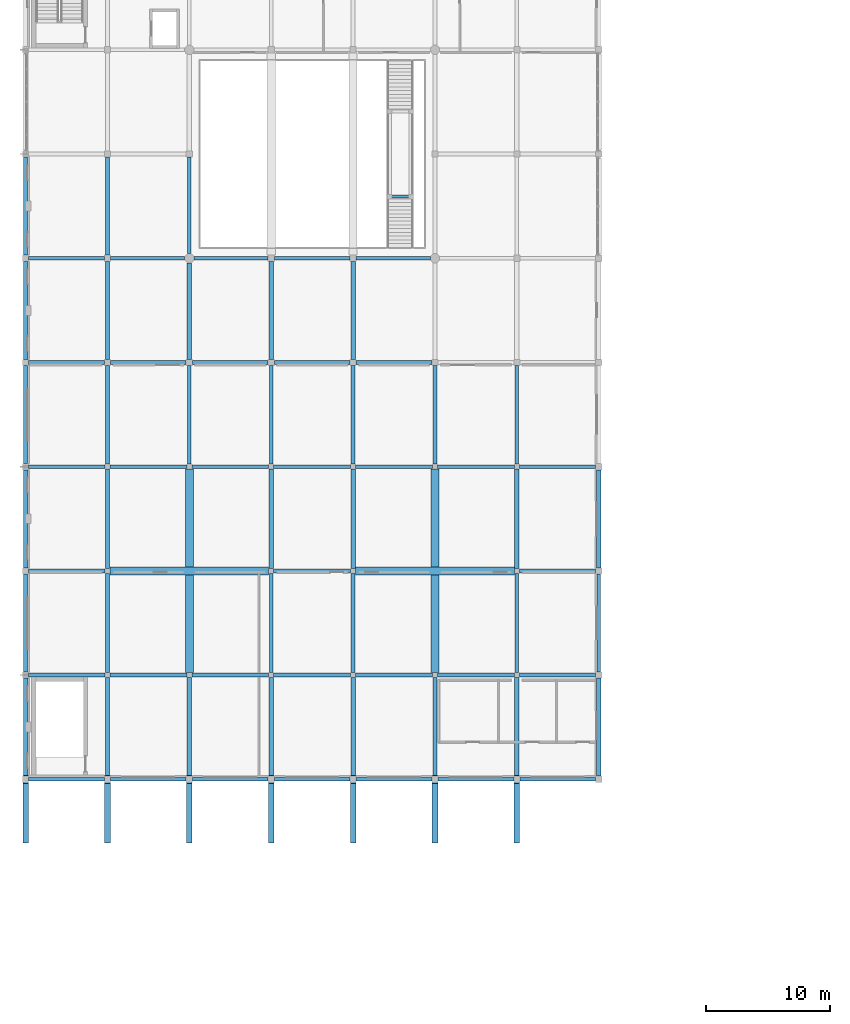
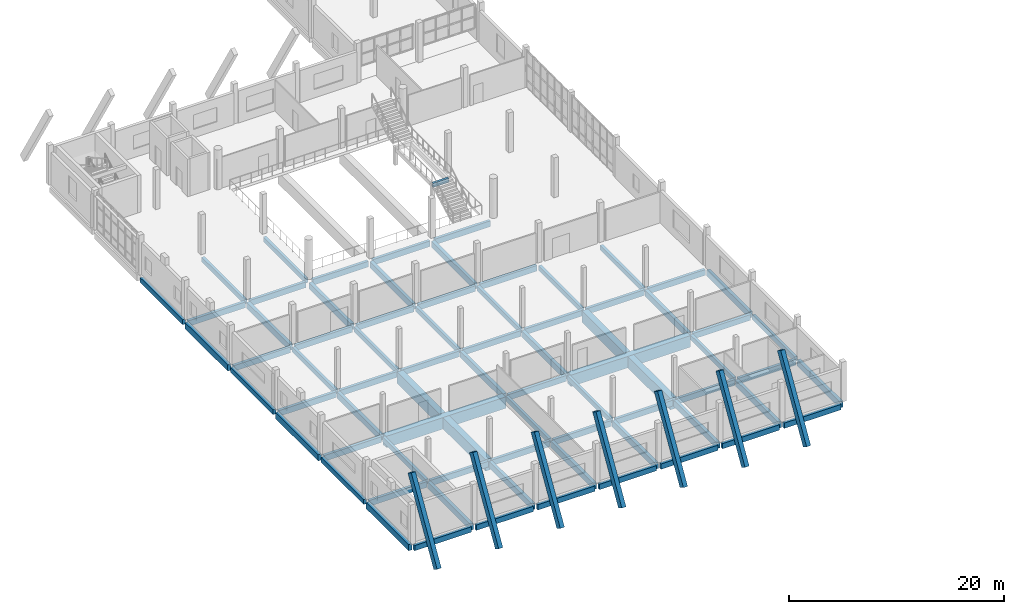
# One storey, part 3 of 76: 74 beams, 7 members.
"""IFC4 building model written with IfcOpenShell, lengths in metres."""

from ifc_helpers import new_model, si_unit, direction, frame, origin, origin_2d, place, context, subcontext, project, spatial, rectangle, extrude, material, material_profile, profile_set, type_object, element, save


model = new_model("IFC4")

# Units and contexts
model_context = context("Model", 3, precision=1e-05, world=origin(), true_north=direction((0.0, 1.0)))
body_context = subcontext(model_context, "Body", "Model", "MODEL_VIEW")
ifc_project = project(units=[si_unit("LENGTHUNIT", "METRE"), si_unit("AREAUNIT", "SQUARE_METRE"), si_unit("VOLUMEUNIT", "CUBIC_METRE"), si_unit("PLANEANGLEUNIT", "RADIAN"), si_unit("MASSUNIT", "GRAM", prefix="KILO")], contexts=[model_context])

# Site, building, storey
site_placement = place(None, origin())
site = spatial("IfcSite", under=ifc_project, at=site_placement, CompositionType="ELEMENT")
building_placement = place(site_placement, origin())
building = spatial("IfcBuilding", under=site, at=building_placement, Name="Qaldarim Faculty of Natural and Applied Sciences", CompositionType="ELEMENT")
storey_placement = place(building_placement, frame((0.0, 0.0, 9.89990234375)))
storey = spatial("IfcBuildingStorey", under=building, at=storey_placement, Name="L02", CompositionType="ELEMENT", Elevation=9.89990234375)

# Beams
ifc_material_1 = material(Name="Concrete C40/50", Category="concrete")
ifc_material_profile_1 = material_profile(ifc_material_1, rectangle(XDim=0.300048828125, YDim=0.550048828125, at=origin_2d()), Name="RC-B300x550")
ifc_profile_set_1 = profile_set([ifc_material_profile_1], Name="Concrete C40/50")
beam_type_1 = type_object("IfcBeamType", Name="FloorBeam-RC300x550", PredefinedType="BEAM", material=ifc_profile_set_1)
beam_1_placement = place(storey_placement, frame((0.0, 25.449951171875, -0.574951171875), z_axis=(0.0, 1.0, 0.0), x_axis=(-1.0, 0.0, 0.0)))
element("IfcBeam", 1, at=beam_1_placement, inside=storey, type_object=beam_type_1, Name="Beam RC-B300x550 L01 X01/Y04-Y05", PredefinedType="BEAM", context=body_context, shape_type="SweptSolid", body=[
    extrude(rectangle(XDim=0.300048828125, YDim=0.550048828125, at=origin_2d()), origin(), (0.0, 0.0, 1.0), 7.900146484375),
])
for number, where, z_axis, x_axis, name in (
    (2, (0.0, 42.25, -0.574951171875), (0.0, 1.0, 0.0), (-1.0, 0.0, 0.0), "Beam RC-B300x550 L01 X01/Y06-Y07"),
    (3, (0.0, 59.050048828125, -0.574951171875), (0.0, 1.0, 0.0), (-1.0, 0.0, 0.0), "Beam RC-B300x550 L01 X01/Y08-Y09"),
):
    element("IfcBeam", number, at=place(storey_placement, frame(where, z_axis=z_axis, x_axis=x_axis)), inside=storey, type_object=beam_type_1, Name=name, PredefinedType="BEAM", context=body_context, shape_type="SweptSolid", body=[
        extrude(rectangle(XDim=0.300048828125, YDim=0.550048828125, at=origin_2d()), origin(), (0.0, 0.0, 1.0), 7.89990234375),
    ])
beam_2_placement = place(storey_placement, frame((6.60009765625, 25.39990234375, -0.574951171875), z_axis=(0.0, 1.0, 0.0), x_axis=(-1.0, 0.0, 0.0)))
element("IfcBeam", 4, at=beam_2_placement, inside=storey, type_object=beam_type_1, Name="Beam RC-B300x550 L01 X02/Y04-Y05", PredefinedType="BEAM", context=body_context, shape_type="SweptSolid", body=[
    extrude(rectangle(XDim=0.300048828125, YDim=0.550048828125, at=origin_2d()), origin(), (0.0, 0.0, 1.0), 8.0),
])
beam_3_placement = place(storey_placement, frame((6.60009765625, 42.199951171875, -0.574951171875), z_axis=(0.0, 1.0, 0.0), x_axis=(-1.0, 0.0, 0.0)))
element("IfcBeam", 5, at=beam_3_placement, inside=storey, type_object=beam_type_1, Name="Beam RC-B300x550 L01 X02/Y06-Y07", PredefinedType="BEAM", context=body_context, shape_type="SweptSolid", body=[
    extrude(rectangle(XDim=0.300048828125, YDim=0.550048828125, at=origin_2d()), origin(), (0.0, 0.0, 1.0), 7.949951171875),
])
beam_4_placement = place(storey_placement, frame((6.60009765625, 59.050048828125, -0.574951171875), z_axis=(0.0, 1.0, 0.0), x_axis=(-1.0, 0.0, 0.0)))
element("IfcBeam", 6, at=beam_4_placement, inside=storey, type_object=beam_type_1, Name="Beam RC-B300x550 L01 X02/Y08-Y09", PredefinedType="BEAM", context=body_context, shape_type="SweptSolid", body=[
    extrude(rectangle(XDim=0.300048828125, YDim=0.550048828125, at=origin_2d()), origin(), (0.0, 0.0, 1.0), 7.89990234375),
])
beam_5_placement = place(storey_placement, frame((13.199951171875, 42.199951171875, -0.574951171875), z_axis=(0.0, 1.0, 0.0), x_axis=(-1.0, 0.0, 0.0)))
element("IfcBeam", 7, at=beam_5_placement, inside=storey, type_object=beam_type_1, Name="Beam RC-B300x550 L01 X03/Y06-Y07", PredefinedType="BEAM", context=body_context, shape_type="SweptSolid", body=[
    extrude(rectangle(XDim=0.300048828125, YDim=0.550048828125, at=origin_2d()), origin(), (0.0, 0.0, 1.0), 7.949951171875),
])
beam_6_placement = place(storey_placement, frame((13.199951171875, 59.175048828125, -0.574951171875), z_axis=(0.0, 1.0, 0.0), x_axis=(-1.0, 0.0, 0.0)))
element("IfcBeam", 8, at=beam_6_placement, inside=storey, type_object=beam_type_1, Name="Beam RC-B300x550 L01 X03/Y08-Y09", PredefinedType="BEAM", context=body_context, shape_type="SweptSolid", body=[
    extrude(rectangle(XDim=0.300048828125, YDim=0.550048828125, at=origin_2d()), origin(), (0.0, 0.0, 1.0), 7.77490234375),
])
beam_7_placement = place(storey_placement, frame((19.800048828125, 25.39990234375, -0.574951171875), z_axis=(0.0, 1.0, 0.0), x_axis=(-1.0, 0.0, 0.0)))
element("IfcBeam", 9, at=beam_7_placement, inside=storey, type_object=beam_type_1, Name="Beam RC-B300x550 L01 X04/Y04-Y05", PredefinedType="BEAM", context=body_context, shape_type="SweptSolid", body=[
    extrude(rectangle(XDim=0.300048828125, YDim=0.550048828125, at=origin_2d()), origin(), (0.0, 0.0, 1.0), 8.0),
])
beam_8_placement = place(storey_placement, frame((19.800048828125, 42.199951171875, -0.574951171875), z_axis=(0.0, 1.0, 0.0), x_axis=(-1.0, 0.0, 0.0)))
element("IfcBeam", 10, at=beam_8_placement, inside=storey, type_object=beam_type_1, Name="Beam RC-B300x550 L01 X04/Y06-Y07", PredefinedType="BEAM", context=body_context, shape_type="SweptSolid", body=[
    extrude(rectangle(XDim=0.300048828125, YDim=0.550048828125, at=origin_2d()), origin(), (0.0, 0.0, 1.0), 7.949951171875),
])
beam_9_placement = place(storey_placement, frame((26.39990234375, 25.39990234375, -0.574951171875), z_axis=(0.0, 1.0, 0.0), x_axis=(-1.0, 0.0, 0.0)))
element("IfcBeam", 11, at=beam_9_placement, inside=storey, type_object=beam_type_1, Name="Beam RC-B300x550 L01 X05/Y04-Y05", PredefinedType="BEAM", context=body_context, shape_type="SweptSolid", body=[
    extrude(rectangle(XDim=0.300048828125, YDim=0.550048828125, at=origin_2d()), origin(), (0.0, 0.0, 1.0), 8.0),
])
for number, where, z_axis, x_axis, name in (
    (12, (26.39990234375, 42.199951171875, -0.574951171875), (0.0, 1.0, 0.0), (-1.0, 0.0, 0.0), "Beam RC-B300x550 L01 X05/Y06-Y07"),
    (13, (33.0, 42.199951171875, -0.574951171875), (0.0, 1.0, 0.0), (-1.0, 0.0, 0.0), "Beam RC-B300x550 L01 X06/Y06-Y07"),
):
    element("IfcBeam", number, at=place(storey_placement, frame(where, z_axis=z_axis, x_axis=x_axis)), inside=storey, type_object=beam_type_1, Name=name, PredefinedType="BEAM", context=body_context, shape_type="SweptSolid", body=[
        extrude(rectangle(XDim=0.300048828125, YDim=0.550048828125, at=origin_2d()), origin(), (0.0, 0.0, 1.0), 7.949951171875),
    ])
beam_10_placement = place(storey_placement, frame((39.60009765625, 25.39990234375, -0.574951171875), z_axis=(0.0, 1.0, 0.0), x_axis=(-1.0, 0.0, 0.0)))
element("IfcBeam", 14, at=beam_10_placement, inside=storey, type_object=beam_type_1, Name="Beam RC-B300x550 L01 X07/Y04-Y05", PredefinedType="BEAM", context=body_context, shape_type="SweptSolid", body=[
    extrude(rectangle(XDim=0.300048828125, YDim=0.550048828125, at=origin_2d()), origin(), (0.0, 0.0, 1.0), 8.0),
])
beam_11_placement = place(storey_placement, frame((39.60009765625, 42.199951171875, -0.574951171875), z_axis=(0.0, 1.0, 0.0), x_axis=(-1.0, 0.0, 0.0)))
element("IfcBeam", 15, at=beam_11_placement, inside=storey, type_object=beam_type_1, Name="Beam RC-B300x550 L01 X07/Y06-Y07", PredefinedType="BEAM", context=body_context, shape_type="SweptSolid", body=[
    extrude(rectangle(XDim=0.300048828125, YDim=0.550048828125, at=origin_2d()), origin(), (0.0, 0.0, 1.0), 7.949951171875),
])
beam_12_placement = place(storey_placement, frame((46.199951171875, 25.449951171875, -0.574951171875), z_axis=(0.0, 1.0, 0.0), x_axis=(-1.0, 0.0, 0.0)))
element("IfcBeam", 16, at=beam_12_placement, inside=storey, type_object=beam_type_1, Name="Beam RC-B300x550 L01 X08/Y04-Y05", PredefinedType="BEAM", context=body_context, shape_type="SweptSolid", body=[
    extrude(rectangle(XDim=0.300048828125, YDim=0.550048828125, at=origin_2d()), origin(), (0.0, 0.0, 1.0), 7.900146484375),
])
ifc_material_profile_2 = material_profile(ifc_material_1, rectangle(XDim=0.25, YDim=0.449951171875, at=origin_2d()), Name="RC-LN250x450")
ifc_profile_set_2 = profile_set([ifc_material_profile_2], Name="Concrete C40/50")
beam_type_2 = type_object("IfcBeamType", Name="LandingSupportBeam-RC250x450", PredefinedType="BEAM", material=ifc_profile_set_2)
beam_13_placement = place(storey_placement, frame((29.35009765625, 63.77001953125, 1.815185546875), z_axis=(1.0, 0.0, 0.0), x_axis=(0.0, 1.0, 0.0)))
element("IfcBeam", 17, at=beam_13_placement, inside=storey, type_object=beam_type_2, Name="Open stair landing beam ST-AT1-L02 S", PredefinedType="BEAM", context=body_context, shape_type="SweptSolid", body=[
    extrude(rectangle(XDim=0.25, YDim=0.449951171875, at=origin_2d()), origin(), (0.0, 0.0, 1.0), 1.699951171875),
])
ifc_material_profile_3 = material_profile(ifc_material_1, rectangle(XDim=0.300048828125, YDim=0.64990234375, at=origin_2d()), Name="RC-B300x650")
ifc_profile_set_3 = profile_set([ifc_material_profile_3], Name="Concrete C40/50")
beam_type_3 = type_object("IfcBeamType", Name="PrimaryBeam-RC300x650", PredefinedType="BEAM", material=ifc_profile_set_3)
beam_14_placement = place(storey_placement, frame((0.25, 25.199951171875, -0.625), z_axis=(1.0, 0.0, 0.0), x_axis=(0.0, 1.0, 0.0)))
element("IfcBeam", 18, at=beam_14_placement, inside=storey, type_object=beam_type_3, Name="Beam RC-B300x650 L01 X01-X02/Y04", PredefinedType="BEAM", context=body_context, shape_type="SweptSolid", body=[
    extrude(rectangle(XDim=0.300048828125, YDim=0.64990234375, at=origin_2d()), origin(), (0.0, 0.0, 1.0), 6.14990234375),
])
beam_15_placement = place(storey_placement, frame((6.800048828125, 25.199951171875, -0.625), z_axis=(1.0, 0.0, 0.0), x_axis=(0.0, 1.0, 0.0)))
element("IfcBeam", 19, at=beam_15_placement, inside=storey, type_object=beam_type_3, Name="Beam RC-B300x650 L01 X02-X03/Y04", PredefinedType="BEAM", context=body_context, shape_type="SweptSolid", body=[
    extrude(rectangle(XDim=0.300048828125, YDim=0.64990234375, at=origin_2d()), origin(), (0.0, 0.0, 1.0), 6.199951171875),
])
beam_16_placement = place(storey_placement, frame((13.39990234375, 25.199951171875, -0.625), z_axis=(1.0, 0.0, 0.0), x_axis=(0.0, 1.0, 0.0)))
element("IfcBeam", 20, at=beam_16_placement, inside=storey, type_object=beam_type_3, Name="Beam RC-B300x650 L01 X03-X04/Y04", PredefinedType="BEAM", context=body_context, shape_type="SweptSolid", body=[
    extrude(rectangle(XDim=0.300048828125, YDim=0.64990234375, at=origin_2d()), origin(), (0.0, 0.0, 1.0), 6.2001953125),
])
for number, where, z_axis, x_axis, name in (
    (21, (20.0, 25.199951171875, -0.625), (1.0, 0.0, 0.0), (0.0, 1.0, 0.0), "Beam RC-B300x650 L01 X04-X05/Y04"),
    (22, (26.60009765625, 25.199951171875, -0.625), (1.0, 0.0, 0.0), (0.0, 1.0, 0.0), "Beam RC-B300x650 L01 X05-X06/Y04"),
    (23, (33.199951171875, 25.199951171875, -0.625), (1.0, 0.0, 0.0), (0.0, 1.0, 0.0), "Beam RC-B300x650 L01 X06-X07/Y04"),
):
    element("IfcBeam", number, at=place(storey_placement, frame(where, z_axis=z_axis, x_axis=x_axis)), inside=storey, type_object=beam_type_3, Name=name, PredefinedType="BEAM", context=body_context, shape_type="SweptSolid", body=[
        extrude(rectangle(XDim=0.300048828125, YDim=0.64990234375, at=origin_2d()), origin(), (0.0, 0.0, 1.0), 6.199951171875),
    ])
for number, where, z_axis, x_axis, name in (
    (24, (39.800048828125, 25.199951171875, -0.625), (1.0, 0.0, 0.0), (0.0, 1.0, 0.0), "Beam RC-B300x650 L01 X07-X08/Y04"),
    (25, (0.25, 33.60009765625, -0.625), (1.0, 0.0, 0.0), (0.0, 1.0, 0.0), "Beam RC-B300x650 L01 X01-X02/Y05"),
):
    element("IfcBeam", number, at=place(storey_placement, frame(where, z_axis=z_axis, x_axis=x_axis)), inside=storey, type_object=beam_type_3, Name=name, PredefinedType="BEAM", context=body_context, shape_type="SweptSolid", body=[
        extrude(rectangle(XDim=0.300048828125, YDim=0.64990234375, at=origin_2d()), origin(), (0.0, 0.0, 1.0), 6.14990234375),
    ])
beam_17_placement = place(storey_placement, frame((20.0, 33.60009765625, -0.625), z_axis=(1.0, 0.0, 0.0), x_axis=(0.0, 1.0, 0.0)))
element("IfcBeam", 26, at=beam_17_placement, inside=storey, type_object=beam_type_3, Name="Beam RC-B300x650 L01 X04-X05/Y05", PredefinedType="BEAM", context=body_context, shape_type="SweptSolid", body=[
    extrude(rectangle(XDim=0.300048828125, YDim=0.64990234375, at=origin_2d()), origin(), (0.0, 0.0, 1.0), 6.199951171875),
])
for number, where, z_axis, x_axis, name in (
    (27, (39.800048828125, 33.60009765625, -0.625), (1.0, 0.0, 0.0), (0.0, 1.0, 0.0), "Beam RC-B300x650 L01 X07-X08/Y05"),
    (28, (0.25, 42.0, -0.625), (1.0, 0.0, 0.0), (0.0, 1.0, 0.0), "Beam RC-B300x650 L01 X01-X02/Y06"),
):
    element("IfcBeam", number, at=place(storey_placement, frame(where, z_axis=z_axis, x_axis=x_axis)), inside=storey, type_object=beam_type_3, Name=name, PredefinedType="BEAM", context=body_context, shape_type="SweptSolid", body=[
        extrude(rectangle(XDim=0.300048828125, YDim=0.64990234375, at=origin_2d()), origin(), (0.0, 0.0, 1.0), 6.14990234375),
    ])
beam_18_placement = place(storey_placement, frame((6.800048828125, 42.0, -0.625), z_axis=(1.0, 0.0, 0.0), x_axis=(0.0, 1.0, 0.0)))
element("IfcBeam", 29, at=beam_18_placement, inside=storey, type_object=beam_type_3, Name="Beam RC-B300x650 L01 X02-X03/Y06", PredefinedType="BEAM", context=body_context, shape_type="SweptSolid", body=[
    extrude(rectangle(XDim=0.300048828125, YDim=0.64990234375, at=origin_2d()), origin(), (0.0, 0.0, 1.0), 6.199951171875),
])
beam_19_placement = place(storey_placement, frame((13.39990234375, 42.0, -0.625), z_axis=(1.0, 0.0, 0.0), x_axis=(0.0, 1.0, 0.0)))
element("IfcBeam", 30, at=beam_19_placement, inside=storey, type_object=beam_type_3, Name="Beam RC-B300x650 L01 X03-X04/Y06", PredefinedType="BEAM", context=body_context, shape_type="SweptSolid", body=[
    extrude(rectangle(XDim=0.300048828125, YDim=0.64990234375, at=origin_2d()), origin(), (0.0, 0.0, 1.0), 6.2001953125),
])
for number, where, z_axis, x_axis, name in (
    (31, (20.0, 42.0, -0.625), (1.0, 0.0, 0.0), (0.0, 1.0, 0.0), "Beam RC-B300x650 L01 X04-X05/Y06"),
    (32, (26.60009765625, 42.0, -0.625), (1.0, 0.0, 0.0), (0.0, 1.0, 0.0), "Beam RC-B300x650 L01 X05-X06/Y06"),
    (33, (33.199951171875, 42.0, -0.625), (1.0, 0.0, 0.0), (0.0, 1.0, 0.0), "Beam RC-B300x650 L01 X06-X07/Y06"),
):
    element("IfcBeam", number, at=place(storey_placement, frame(where, z_axis=z_axis, x_axis=x_axis)), inside=storey, type_object=beam_type_3, Name=name, PredefinedType="BEAM", context=body_context, shape_type="SweptSolid", body=[
        extrude(rectangle(XDim=0.300048828125, YDim=0.64990234375, at=origin_2d()), origin(), (0.0, 0.0, 1.0), 6.199951171875),
    ])
beam_20_placement = place(storey_placement, frame((39.800048828125, 42.0, -0.625), z_axis=(1.0, 0.0, 0.0), x_axis=(0.0, 1.0, 0.0)))
element("IfcBeam", 34, at=beam_20_placement, inside=storey, type_object=beam_type_3, Name="Beam RC-B300x650 L01 X07-X08/Y06", PredefinedType="BEAM", context=body_context, shape_type="SweptSolid", body=[
    extrude(rectangle(XDim=0.300048828125, YDim=0.64990234375, at=origin_2d()), origin(), (0.0, 0.0, 1.0), 6.14990234375),
])
beam_21_placement = place(storey_placement, frame((0.25, 50.39990234375, -0.625), z_axis=(1.0, 0.0, 0.0), x_axis=(0.0, 1.0, 0.0)))
element("IfcBeam", 35, at=beam_21_placement, inside=storey, type_object=beam_type_3, Name="Beam RC-B300x650 L01 X01-X02/Y07", PredefinedType="BEAM", context=body_context, shape_type="SweptSolid", body=[
    extrude(rectangle(XDim=0.300048828125, YDim=0.64990234375, at=origin_2d()), origin(), (0.0, 0.0, 1.0), 6.10009765625),
])
beam_22_placement = place(storey_placement, frame((6.85009765625, 50.39990234375, -0.625), z_axis=(1.0, 0.0, 0.0), x_axis=(0.0, 1.0, 0.0)))
element("IfcBeam", 36, at=beam_22_placement, inside=storey, type_object=beam_type_3, Name="Beam RC-B300x650 L01 X02-X03/Y07", PredefinedType="BEAM", context=body_context, shape_type="SweptSolid", body=[
    extrude(rectangle(XDim=0.300048828125, YDim=0.64990234375, at=origin_2d()), origin(), (0.0, 0.0, 1.0), 6.099853515625),
])
beam_23_placement = place(storey_placement, frame((13.449951171875, 50.39990234375, -0.625), z_axis=(1.0, 0.0, 0.0), x_axis=(0.0, 1.0, 0.0)))
element("IfcBeam", 37, at=beam_23_placement, inside=storey, type_object=beam_type_3, Name="Beam RC-B300x650 L01 X03-X04/Y07", PredefinedType="BEAM", context=body_context, shape_type="SweptSolid", body=[
    extrude(rectangle(XDim=0.300048828125, YDim=0.64990234375, at=origin_2d()), origin(), (0.0, 0.0, 1.0), 6.10009765625),
])
beam_24_placement = place(storey_placement, frame((20.050048828125, 50.39990234375, -0.625), z_axis=(1.0, 0.0, 0.0), x_axis=(0.0, 1.0, 0.0)))
element("IfcBeam", 38, at=beam_24_placement, inside=storey, type_object=beam_type_3, Name="Beam RC-B300x650 L01 X04-X05/Y07", PredefinedType="BEAM", context=body_context, shape_type="SweptSolid", body=[
    extrude(rectangle(XDim=0.300048828125, YDim=0.64990234375, at=origin_2d()), origin(), (0.0, 0.0, 1.0), 6.099853515625),
])
for number, where, z_axis, x_axis, name in (
    (39, (26.64990234375, 50.39990234375, -0.625), (1.0, 0.0, 0.0), (0.0, 1.0, 0.0), "Beam RC-B300x650 L01 X05-X06/Y07"),
    (40, (0.25, 58.800048828125, -0.625), (1.0, 0.0, 0.0), (0.0, 1.0, 0.0), "Beam RC-B300x650 L01 X01-X02/Y08"),
):
    element("IfcBeam", number, at=place(storey_placement, frame(where, z_axis=z_axis, x_axis=x_axis)), inside=storey, type_object=beam_type_3, Name=name, PredefinedType="BEAM", context=body_context, shape_type="SweptSolid", body=[
        extrude(rectangle(XDim=0.300048828125, YDim=0.64990234375, at=origin_2d()), origin(), (0.0, 0.0, 1.0), 6.10009765625),
    ])
beam_25_placement = place(storey_placement, frame((6.85009765625, 58.800048828125, -0.625), z_axis=(1.0, 0.0, 0.0), x_axis=(0.0, 1.0, 0.0)))
element("IfcBeam", 41, at=beam_25_placement, inside=storey, type_object=beam_type_3, Name="Beam RC-B300x650 L01 X02-X03/Y08", PredefinedType="BEAM", context=body_context, shape_type="SweptSolid", body=[
    extrude(rectangle(XDim=0.300048828125, YDim=0.64990234375, at=origin_2d()), origin(), (0.0, 0.0, 1.0), 5.974853515625),
])
beam_26_placement = place(storey_placement, frame((13.574951171875, 58.800048828125, -0.625), z_axis=(1.0, 0.0, 0.0), x_axis=(0.0, 1.0, 0.0)))
element("IfcBeam", 42, at=beam_26_placement, inside=storey, type_object=beam_type_3, Name="Beam RC-B300x650 L01 X03-X04/Y08", PredefinedType="BEAM", context=body_context, shape_type="SweptSolid", body=[
    extrude(rectangle(XDim=0.300048828125, YDim=0.64990234375, at=origin_2d()), origin(), (0.0, 0.0, 1.0), 5.97509765625),
])
beam_27_placement = place(storey_placement, frame((20.050048828125, 58.800048828125, -0.625), z_axis=(1.0, 0.0, 0.0), x_axis=(0.0, 1.0, 0.0)))
element("IfcBeam", 43, at=beam_27_placement, inside=storey, type_object=beam_type_3, Name="Beam RC-B300x650 L01 X04-X05/Y08", PredefinedType="BEAM", context=body_context, shape_type="SweptSolid", body=[
    extrude(rectangle(XDim=0.300048828125, YDim=0.64990234375, at=origin_2d()), origin(), (0.0, 0.0, 1.0), 6.099853515625),
])
beam_28_placement = place(storey_placement, frame((26.64990234375, 58.800048828125, -0.625), z_axis=(1.0, 0.0, 0.0), x_axis=(0.0, 1.0, 0.0)))
element("IfcBeam", 44, at=beam_28_placement, inside=storey, type_object=beam_type_3, Name="Beam RC-B300x650 L01 X05-X06/Y08", PredefinedType="BEAM", context=body_context, shape_type="SweptSolid", body=[
    extrude(rectangle(XDim=0.300048828125, YDim=0.64990234375, at=origin_2d()), origin(), (0.0, 0.0, 1.0), 5.97509765625),
])
ifc_material_profile_4 = material_profile(ifc_material_1, rectangle(XDim=0.35009765625, YDim=0.699951171875, at=origin_2d()), Name="RC-B350x700")
ifc_profile_set_4 = profile_set([ifc_material_profile_4], Name="Concrete C40/50")
beam_type_4 = type_object("IfcBeamType", Name="PrimaryGirder-RC350x700", PredefinedType="BEAM", material=ifc_profile_set_4)
for number, where, z_axis, x_axis, name in (
    (45, (0.0, 17.050048828125, -0.64990234375), (0.0, 1.0, 0.0), (-1.0, 0.0, 0.0), "Beam RC-B350x700 L01 X01/Y03-Y04"),
    (46, (0.0, 33.85009765625, -0.64990234375), (0.0, 1.0, 0.0), (-1.0, 0.0, 0.0), "Beam RC-B350x700 L01 X01/Y05-Y06"),
):
    element("IfcBeam", number, at=place(storey_placement, frame(where, z_axis=z_axis, x_axis=x_axis)), inside=storey, type_object=beam_type_4, Name=name, PredefinedType="BEAM", context=body_context, shape_type="SweptSolid", body=[
        extrude(rectangle(XDim=0.35009765625, YDim=0.699951171875, at=origin_2d()), origin(), (0.0, 0.0, 1.0), 7.89990234375),
    ])
beam_29_placement = place(storey_placement, frame((0.0, 50.64990234375, -0.64990234375), z_axis=(0.0, 1.0, 0.0), x_axis=(-1.0, 0.0, 0.0)))
element("IfcBeam", 47, at=beam_29_placement, inside=storey, type_object=beam_type_4, Name="Beam RC-B350x700 L01 X01/Y07-Y08", PredefinedType="BEAM", context=body_context, shape_type="SweptSolid", body=[
    extrude(rectangle(XDim=0.35009765625, YDim=0.699951171875, at=origin_2d()), origin(), (0.0, 0.0, 1.0), 7.900146484375),
])
beam_30_placement = place(storey_placement, frame((6.60009765625, 17.050048828125, -0.64990234375), z_axis=(0.0, 1.0, 0.0), x_axis=(-1.0, 0.0, 0.0)))
element("IfcBeam", 48, at=beam_30_placement, inside=storey, type_object=beam_type_4, Name="Beam RC-B350x700 L01 X02/Y03-Y04", PredefinedType="BEAM", context=body_context, shape_type="SweptSolid", body=[
    extrude(rectangle(XDim=0.35009765625, YDim=0.699951171875, at=origin_2d()), origin(), (0.0, 0.0, 1.0), 7.949951171875),
])
beam_31_placement = place(storey_placement, frame((6.60009765625, 33.800048828125, -0.64990234375), z_axis=(0.0, 1.0, 0.0), x_axis=(-1.0, 0.0, 0.0)))
element("IfcBeam", 49, at=beam_31_placement, inside=storey, type_object=beam_type_4, Name="Beam RC-B350x700 L01 X02/Y05-Y06", PredefinedType="BEAM", context=body_context, shape_type="SweptSolid", body=[
    extrude(rectangle(XDim=0.35009765625, YDim=0.699951171875, at=origin_2d()), origin(), (0.0, 0.0, 1.0), 8.0),
])
beam_32_placement = place(storey_placement, frame((6.60009765625, 50.64990234375, -0.64990234375), z_axis=(0.0, 1.0, 0.0), x_axis=(-1.0, 0.0, 0.0)))
element("IfcBeam", 50, at=beam_32_placement, inside=storey, type_object=beam_type_4, Name="Beam RC-B350x700 L01 X02/Y07-Y08", PredefinedType="BEAM", context=body_context, shape_type="SweptSolid", body=[
    extrude(rectangle(XDim=0.35009765625, YDim=0.699951171875, at=origin_2d()), origin(), (0.0, 0.0, 1.0), 7.900146484375),
])
beam_33_placement = place(storey_placement, frame((13.199951171875, 17.050048828125, -0.64990234375), z_axis=(0.0, 1.0, 0.0), x_axis=(-1.0, 0.0, 0.0)))
element("IfcBeam", 51, at=beam_33_placement, inside=storey, type_object=beam_type_4, Name="Beam RC-B350x700 L01 X03/Y03-Y04", PredefinedType="BEAM", context=body_context, shape_type="SweptSolid", body=[
    extrude(rectangle(XDim=0.35009765625, YDim=0.699951171875, at=origin_2d()), origin(), (0.0, 0.0, 1.0), 7.949951171875),
])
beam_34_placement = place(storey_placement, frame((13.199951171875, 50.64990234375, -0.64990234375), z_axis=(0.0, 1.0, 0.0), x_axis=(-1.0, 0.0, 0.0)))
element("IfcBeam", 52, at=beam_34_placement, inside=storey, type_object=beam_type_4, Name="Beam RC-B350x700 L01 X03/Y07-Y08", PredefinedType="BEAM", context=body_context, shape_type="SweptSolid", body=[
    extrude(rectangle(XDim=0.35009765625, YDim=0.699951171875, at=origin_2d()), origin(), (0.0, 0.0, 1.0), 7.775146484375),
])
beam_35_placement = place(storey_placement, frame((19.800048828125, 17.050048828125, -0.64990234375), z_axis=(0.0, 1.0, 0.0), x_axis=(-1.0, 0.0, 0.0)))
element("IfcBeam", 53, at=beam_35_placement, inside=storey, type_object=beam_type_4, Name="Beam RC-B350x700 L01 X04/Y03-Y04", PredefinedType="BEAM", context=body_context, shape_type="SweptSolid", body=[
    extrude(rectangle(XDim=0.35009765625, YDim=0.699951171875, at=origin_2d()), origin(), (0.0, 0.0, 1.0), 7.949951171875),
])
beam_36_placement = place(storey_placement, frame((19.800048828125, 33.800048828125, -0.64990234375), z_axis=(0.0, 1.0, 0.0), x_axis=(-1.0, 0.0, 0.0)))
element("IfcBeam", 54, at=beam_36_placement, inside=storey, type_object=beam_type_4, Name="Beam RC-B350x700 L01 X04/Y05-Y06", PredefinedType="BEAM", context=body_context, shape_type="SweptSolid", body=[
    extrude(rectangle(XDim=0.35009765625, YDim=0.699951171875, at=origin_2d()), origin(), (0.0, 0.0, 1.0), 8.0),
])
beam_37_placement = place(storey_placement, frame((19.800048828125, 50.64990234375, -0.64990234375), z_axis=(0.0, 1.0, 0.0), x_axis=(-1.0, 0.0, 0.0)))
element("IfcBeam", 55, at=beam_37_placement, inside=storey, type_object=beam_type_4, Name="Beam RC-B350x700 L01 X04/Y07-Y08", PredefinedType="BEAM", context=body_context, shape_type="SweptSolid", body=[
    extrude(rectangle(XDim=0.35009765625, YDim=0.699951171875, at=origin_2d()), origin(), (0.0, 0.0, 1.0), 7.900146484375),
])
beam_38_placement = place(storey_placement, frame((26.39990234375, 17.050048828125, -0.64990234375), z_axis=(0.0, 1.0, 0.0), x_axis=(-1.0, 0.0, 0.0)))
element("IfcBeam", 56, at=beam_38_placement, inside=storey, type_object=beam_type_4, Name="Beam RC-B350x700 L01 X05/Y03-Y04", PredefinedType="BEAM", context=body_context, shape_type="SweptSolid", body=[
    extrude(rectangle(XDim=0.35009765625, YDim=0.699951171875, at=origin_2d()), origin(), (0.0, 0.0, 1.0), 7.949951171875),
])
beam_39_placement = place(storey_placement, frame((26.39990234375, 33.800048828125, -0.64990234375), z_axis=(0.0, 1.0, 0.0), x_axis=(-1.0, 0.0, 0.0)))
element("IfcBeam", 57, at=beam_39_placement, inside=storey, type_object=beam_type_4, Name="Beam RC-B350x700 L01 X05/Y05-Y06", PredefinedType="BEAM", context=body_context, shape_type="SweptSolid", body=[
    extrude(rectangle(XDim=0.35009765625, YDim=0.699951171875, at=origin_2d()), origin(), (0.0, 0.0, 1.0), 8.0),
])
beam_40_placement = place(storey_placement, frame((26.39990234375, 50.64990234375, -0.64990234375), z_axis=(0.0, 1.0, 0.0), x_axis=(-1.0, 0.0, 0.0)))
element("IfcBeam", 58, at=beam_40_placement, inside=storey, type_object=beam_type_4, Name="Beam RC-B350x700 L01 X05/Y07-Y08", PredefinedType="BEAM", context=body_context, shape_type="SweptSolid", body=[
    extrude(rectangle(XDim=0.35009765625, YDim=0.699951171875, at=origin_2d()), origin(), (0.0, 0.0, 1.0), 7.900146484375),
])
for number, where, z_axis, x_axis, name in (
    (59, (33.0, 17.050048828125, -0.64990234375), (0.0, 1.0, 0.0), (-1.0, 0.0, 0.0), "Beam RC-B350x700 L01 X06/Y03-Y04"),
    (60, (39.60009765625, 17.050048828125, -0.64990234375), (0.0, 1.0, 0.0), (-1.0, 0.0, 0.0), "Beam RC-B350x700 L01 X07/Y03-Y04"),
):
    element("IfcBeam", number, at=place(storey_placement, frame(where, z_axis=z_axis, x_axis=x_axis)), inside=storey, type_object=beam_type_4, Name=name, PredefinedType="BEAM", context=body_context, shape_type="SweptSolid", body=[
        extrude(rectangle(XDim=0.35009765625, YDim=0.699951171875, at=origin_2d()), origin(), (0.0, 0.0, 1.0), 7.949951171875),
    ])
beam_41_placement = place(storey_placement, frame((39.60009765625, 33.800048828125, -0.64990234375), z_axis=(0.0, 1.0, 0.0), x_axis=(-1.0, 0.0, 0.0)))
element("IfcBeam", 61, at=beam_41_placement, inside=storey, type_object=beam_type_4, Name="Beam RC-B350x700 L01 X07/Y05-Y06", PredefinedType="BEAM", context=body_context, shape_type="SweptSolid", body=[
    extrude(rectangle(XDim=0.35009765625, YDim=0.699951171875, at=origin_2d()), origin(), (0.0, 0.0, 1.0), 8.0),
])
for number, where, z_axis, x_axis, name in (
    (62, (46.199951171875, 17.050048828125, -0.64990234375), (0.0, 1.0, 0.0), (-1.0, 0.0, 0.0), "Beam RC-B350x700 L01 X08/Y03-Y04"),
    (63, (46.199951171875, 33.85009765625, -0.64990234375), (0.0, 1.0, 0.0), (-1.0, 0.0, 0.0), "Beam RC-B350x700 L01 X08/Y05-Y06"),
):
    element("IfcBeam", number, at=place(storey_placement, frame(where, z_axis=z_axis, x_axis=x_axis)), inside=storey, type_object=beam_type_4, Name=name, PredefinedType="BEAM", context=body_context, shape_type="SweptSolid", body=[
        extrude(rectangle(XDim=0.35009765625, YDim=0.699951171875, at=origin_2d()), origin(), (0.0, 0.0, 1.0), 7.89990234375),
    ])

# Members
ifc_material_2 = material(Name="Concrete C50/60", Category="concrete")
ifc_material_profile_5 = material_profile(ifc_material_2, rectangle(XDim=0.449951171875, YDim=0.75, at=origin_2d()), Name="RC-S450x750")
ifc_profile_set_5 = profile_set([ifc_material_profile_5], Name="Concrete C50/60")
member_type = type_object("IfcMemberType", Name="RakingButtressStrut-RC450x750", PredefinedType="STRUT", material=ifc_profile_set_5)
for number, where, z_axis, x_axis, name in (
    (64, (0.0, 12.0, 0.0), (0.0, 0.514499603737, 0.857490616715), (-1.0, 0.0, 0.0), "External raking shell thrust buttress South X01"),
    (65, (6.60009765625, 12.0, 0.0), (0.0, 0.514499603737, 0.857490616715), (-1.0, 0.0, 0.0), "External raking shell thrust buttress South X02"),
    (66, (13.199951171875, 12.0, 0.0), (0.0, 0.514499603737, 0.857490616715), (-1.0, 0.0, 0.0), "External raking shell thrust buttress South X03"),
    (67, (19.800048828125, 12.0, 0.0), (0.0, 0.514499603737, 0.857490616715), (-1.0, 0.0, 0.0), "External raking shell thrust buttress South X04"),
    (68, (26.39990234375, 12.0, 0.0), (0.0, 0.514499603737, 0.857490616715), (-1.0, 0.0, 0.0), "External raking shell thrust buttress South X05"),
    (69, (33.0, 12.0, 0.0), (0.0, 0.514499603737, 0.857490616715), (-1.0, 0.0, 0.0), "External raking shell thrust buttress South X06"),
    (70, (39.60009765625, 12.0, 0.0), (0.0, 0.514499603737, 0.857490616715), (-1.0, 0.0, 0.0), "External raking shell thrust buttress South X07"),
):
    element("IfcMember", number, at=place(storey_placement, frame(where, z_axis=z_axis, x_axis=x_axis)), inside=storey, type_object=member_type, Name=name, PredefinedType="STRUT", context=body_context, shape_type="SweptSolid", body=[
        extrude(rectangle(XDim=0.449951171875, YDim=0.75, at=origin_2d()), origin(), (0.0, 0.0, 1.0), 9.32958984375),
    ])

# Beams
ifc_material_3 = material(Name="Precast concrete C40/50", Category="concrete")
ifc_material_profile_6 = material_profile(ifc_material_3, rectangle(XDim=0.300048828125, YDim=0.60009765625, at=origin_2d()), Name="RC-SP300x600")
ifc_profile_set_6 = profile_set([ifc_material_profile_6], Name="Precast concrete C40/50")
beam_type_5 = type_object("IfcBeamType", Name="SpandrelBeam-RC300x600", PredefinedType="SPANDREL", material=ifc_profile_set_6)
beam_42_placement = place(storey_placement, frame((0.25, 16.800048828125, -0.599853515625), z_axis=(1.0, 0.0, 0.0), x_axis=(0.0, 1.0, 0.0)))
element("IfcBeam", 71, at=beam_42_placement, inside=storey, type_object=beam_type_5, Name="Beam RC-SP300x600 L01 X01-X02/Y03", PredefinedType="SPANDREL", context=body_context, shape_type="SweptSolid", body=[
    extrude(rectangle(XDim=0.300048828125, YDim=0.60009765625, at=origin_2d()), origin(), (0.0, 0.0, 1.0), 6.10009765625),
])
beam_43_placement = place(storey_placement, frame((6.85009765625, 16.800048828125, -0.599853515625), z_axis=(1.0, 0.0, 0.0), x_axis=(0.0, 1.0, 0.0)))
element("IfcBeam", 72, at=beam_43_placement, inside=storey, type_object=beam_type_5, Name="Beam RC-SP300x600 L01 X02-X03/Y03", PredefinedType="SPANDREL", context=body_context, shape_type="SweptSolid", body=[
    extrude(rectangle(XDim=0.300048828125, YDim=0.60009765625, at=origin_2d()), origin(), (0.0, 0.0, 1.0), 6.099853515625),
])
beam_44_placement = place(storey_placement, frame((13.449951171875, 16.800048828125, -0.599853515625), z_axis=(1.0, 0.0, 0.0), x_axis=(0.0, 1.0, 0.0)))
element("IfcBeam", 73, at=beam_44_placement, inside=storey, type_object=beam_type_5, Name="Beam RC-SP300x600 L01 X03-X04/Y03", PredefinedType="SPANDREL", context=body_context, shape_type="SweptSolid", body=[
    extrude(rectangle(XDim=0.300048828125, YDim=0.60009765625, at=origin_2d()), origin(), (0.0, 0.0, 1.0), 6.10009765625),
])
beam_45_placement = place(storey_placement, frame((20.050048828125, 16.800048828125, -0.599853515625), z_axis=(1.0, 0.0, 0.0), x_axis=(0.0, 1.0, 0.0)))
element("IfcBeam", 74, at=beam_45_placement, inside=storey, type_object=beam_type_5, Name="Beam RC-SP300x600 L01 X04-X05/Y03", PredefinedType="SPANDREL", context=body_context, shape_type="SweptSolid", body=[
    extrude(rectangle(XDim=0.300048828125, YDim=0.60009765625, at=origin_2d()), origin(), (0.0, 0.0, 1.0), 6.099853515625),
])
for number, where, z_axis, x_axis, name in (
    (75, (26.64990234375, 16.800048828125, -0.599853515625), (1.0, 0.0, 0.0), (0.0, 1.0, 0.0), "Beam RC-SP300x600 L01 X05-X06/Y03"),
    (76, (33.25, 16.800048828125, -0.599853515625), (1.0, 0.0, 0.0), (0.0, 1.0, 0.0), "Beam RC-SP300x600 L01 X06-X07/Y03"),
):
    element("IfcBeam", number, at=place(storey_placement, frame(where, z_axis=z_axis, x_axis=x_axis)), inside=storey, type_object=beam_type_5, Name=name, PredefinedType="SPANDREL", context=body_context, shape_type="SweptSolid", body=[
        extrude(rectangle(XDim=0.300048828125, YDim=0.60009765625, at=origin_2d()), origin(), (0.0, 0.0, 1.0), 6.10009765625),
    ])
beam_46_placement = place(storey_placement, frame((39.85009765625, 16.800048828125, -0.599853515625), z_axis=(1.0, 0.0, 0.0), x_axis=(0.0, 1.0, 0.0)))
element("IfcBeam", 77, at=beam_46_placement, inside=storey, type_object=beam_type_5, Name="Beam RC-SP300x600 L01 X07-X08/Y03", PredefinedType="SPANDREL", context=body_context, shape_type="SweptSolid", body=[
    extrude(rectangle(XDim=0.300048828125, YDim=0.60009765625, at=origin_2d()), origin(), (0.0, 0.0, 1.0), 6.099853515625),
])
ifc_material_profile_7 = material_profile(ifc_material_2, rectangle(XDim=0.64990234375, YDim=1.300048828125, at=origin_2d()), Name="RC-TG650x1300")
ifc_profile_set_7 = profile_set([ifc_material_profile_7], Name="Concrete C50/60")
beam_type_6 = type_object("IfcBeamType", Name="TransferGirder-RC650x1300", PredefinedType="BEAM", material=ifc_profile_set_7)
beam_47_placement = place(storey_placement, frame((6.800048828125, 33.60009765625, -0.949951171875), z_axis=(1.0, 0.0, 0.0), x_axis=(0.0, 1.0, 0.0)))
element("IfcBeam", 78, at=beam_47_placement, inside=storey, type_object=beam_type_6, Name="Long-span girder L01 Y05 X02-X04", PredefinedType="BEAM", context=body_context, shape_type="SweptSolid", body=[
    extrude(rectangle(XDim=0.64990234375, YDim=1.300048828125, at=origin_2d()), origin(), (0.0, 0.0, 1.0), 12.800048828125),
])
beam_48_placement = place(storey_placement, frame((26.60009765625, 33.60009765625, -0.949951171875), z_axis=(1.0, 0.0, 0.0), x_axis=(0.0, 1.0, 0.0)))
element("IfcBeam", 79, at=beam_48_placement, inside=storey, type_object=beam_type_6, Name="Long-span girder L01 Y05 X05-X07", PredefinedType="BEAM", context=body_context, shape_type="SweptSolid", body=[
    extrude(rectangle(XDim=0.64990234375, YDim=1.300048828125, at=origin_2d()), origin(), (0.0, 0.0, 1.0), 12.7998046875),
])
for number, where, z_axis, x_axis, name in (
    (80, (13.199951171875, 25.39990234375, -0.949951171875), (0.0, 1.0, 0.0), (-1.0, 0.0, 0.0), "Long-span girder L01 X03 Y04-Y06"),
    (81, (33.0, 25.39990234375, -0.949951171875), (0.0, 1.0, 0.0), (-1.0, 0.0, 0.0), "Long-span girder L01 X06 Y04-Y06"),
):
    element("IfcBeam", number, at=place(storey_placement, frame(where, z_axis=z_axis, x_axis=x_axis)), inside=storey, type_object=beam_type_6, Name=name, PredefinedType="BEAM", context=body_context, shape_type="SweptSolid", body=[
        extrude(rectangle(XDim=0.64990234375, YDim=1.300048828125, at=origin_2d()), origin(), (0.0, 0.0, 1.0), 16.400146484375),
    ])

save(model, "model.ifc")
